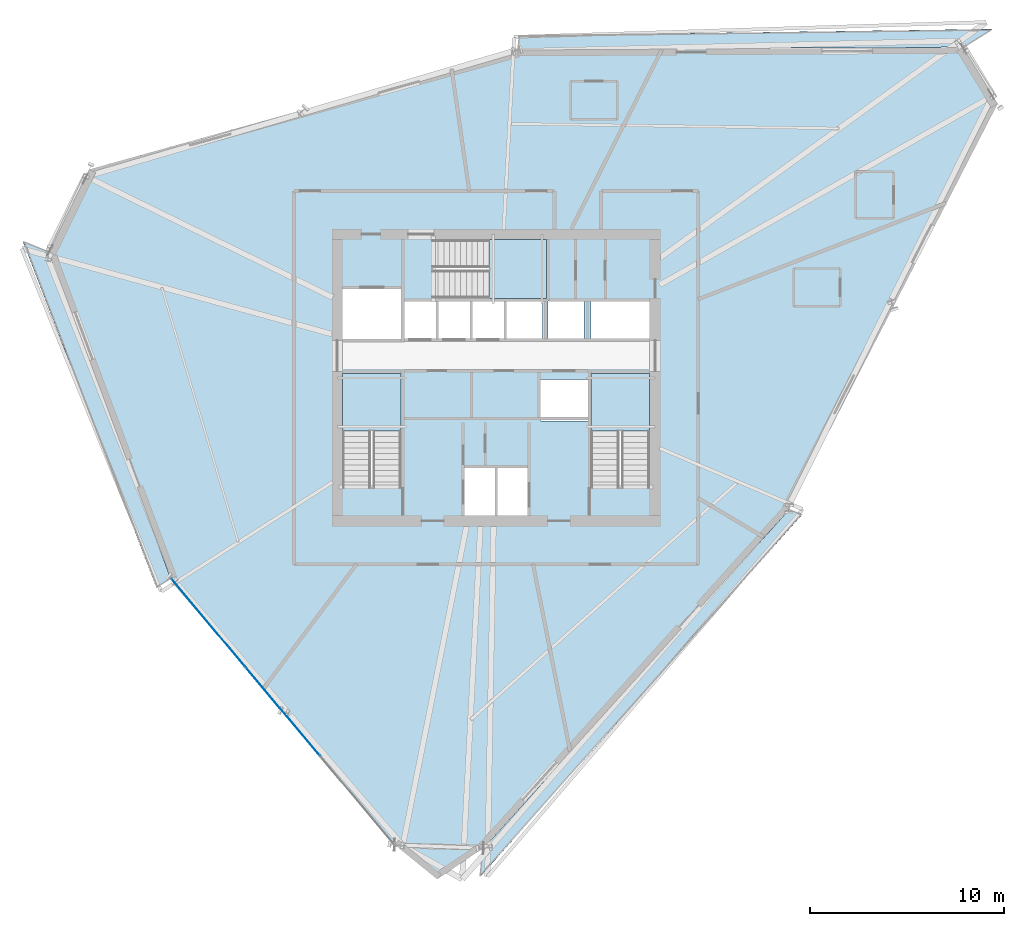
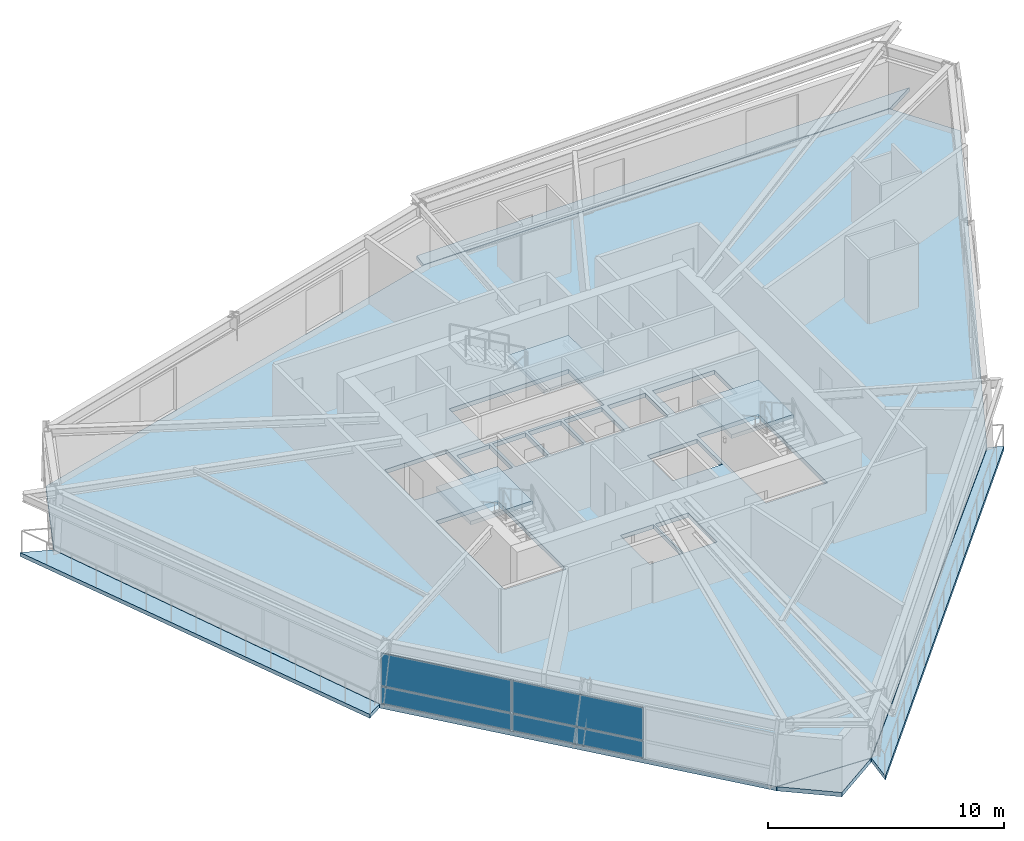
# One storey, part 6 of 15: 8 slabs, 4 plates, 4 elements without a shape of their own.
"""IFC4 building model written with IfcOpenShell, lengths in metres."""

from ifc_helpers import new_model, si_unit, direction, frame, origin, origin_2d, place, context, subcontext, project, spatial, polyline, rectangle, outline, extrude, source, transform, mapped, material, layer, layer_set, type_object, element, aggregate, save


model = new_model("IFC4")

# Units and contexts
model_context = context("Model", 3, precision=1e-05, world=origin(), true_north=direction((0.0, 1.0)))
body_context = subcontext(model_context, "Body", "Model", "MODEL_VIEW")
ifc_project = project(units=[si_unit("LENGTHUNIT", "METRE"), si_unit("AREAUNIT", "SQUARE_METRE"), si_unit("VOLUMEUNIT", "CUBIC_METRE"), si_unit("PLANEANGLEUNIT", "RADIAN"), si_unit("MASSUNIT", "GRAM", prefix="KILO")], contexts=[model_context])

# Site, building, storey
site_placement = place(None, origin())
site = spatial("IfcSite", under=ifc_project, at=site_placement, CompositionType="ELEMENT")
building_placement = place(site_placement, origin())
building = spatial("IfcBuilding", under=site, at=building_placement, Name="Olszyna Solenne Hotel", CompositionType="ELEMENT")
storey_placement = place(building_placement, frame((0.0, 0.0, 164.35009765625)))
storey = spatial("IfcBuildingStorey", under=building, at=storey_placement, Name="L43", CompositionType="ELEMENT", Elevation=164.35009765625)

# Stair, slab
ifc_material_1 = material(Name="Concrete C40/50", Category="concrete")
stair_type = type_object("IfcStairType", Name="STR-C1", PredefinedType="TWO_QUARTER_WINDING_STAIR", material=ifc_material_1)
stair_1_placement = place(storey_placement, origin())
stair_1 = element("IfcStair", 1, at=stair_1_placement, inside=storey, type_object=stair_type, Name="L43 ST1", PredefinedType="TWO_QUARTER_WINDING_STAIR")
ifc_layer_1 = layer(ifc_material_1, 0.18994140625, Name="Concrete C40/50")
ifc_layer_set_1 = layer_set([ifc_layer_1], Name="Concrete C40/50")
slab_type_1 = type_object("IfcSlabType", Name="SL-LN190", PredefinedType="LANDING", material=ifc_layer_set_1)
slab_1_placement = place(storey_placement, frame((0.0, 0.0, 1.574951171875)))
slab_1 = element("IfcSlab", 2, at=slab_1_placement, type_object=slab_type_1, Name="ST1 landing 1", PredefinedType="LANDING", context=body_context, shape_type="SweptSolid", body=[
    extrude(outline(polyline([(33.1201171875, 23.85009765625), (33.1201171875, 26.800048828125), (30.10009765625, 26.800048828125), (30.10009765625, 23.85009765625), (33.1201171875, 23.85009765625)])), origin(), (0.0, 0.0, 1.0), 0.199951171875),
])
aggregate(stair_1, [slab_1])

stair_2_placement = place(storey_placement, origin())
stair_2 = element("IfcStair", 3, at=stair_2_placement, inside=storey, type_object=stair_type, Name="L43 ST2", PredefinedType="TWO_QUARTER_WINDING_STAIR")
slab_2_placement = place(storey_placement, frame((0.0, 0.0, 1.574951171875)))
slab_2 = element("IfcSlab", 4, at=slab_2_placement, type_object=slab_type_1, Name="ST2 landing 1", PredefinedType="LANDING", context=body_context, shape_type="SweptSolid", body=[
    extrude(outline(polyline([(45.89990234375, 23.85009765625), (45.89990234375, 26.800048828125), (42.8798828125, 26.800048828125), (42.8798828125, 23.85009765625), (45.89990234375, 23.85009765625)])), origin(), (0.0, 0.0, 1.0), 0.199951171875),
])
aggregate(stair_2, [slab_2])

stair_3_placement = place(storey_placement, origin())
stair_3 = element("IfcStair", 5, at=stair_3_placement, inside=storey, type_object=stair_type, Name="L43 ST3", PredefinedType="TWO_QUARTER_WINDING_STAIR")
slab_3_placement = place(storey_placement, frame((0.0, 0.0, 1.574951171875)))
slab_3 = element("IfcSlab", 6, at=slab_3_placement, type_object=slab_type_1, Name="ST3 landing 1", PredefinedType="LANDING", context=body_context, shape_type="SweptSolid", body=[
    extrude(outline(polyline([(37.6298828125, 30.679931640625), (40.580078125, 30.679931640625), (40.580078125, 33.699951171875), (37.6298828125, 33.699951171875), (37.6298828125, 30.679931640625)])), origin(), (0.0, 0.0, 1.0), 0.199951171875),
])
aggregate(stair_3, [slab_3])

# Slabs
ifc_material_2 = material(Name="Precast concrete C45/55", Category="concrete")
ifc_layer_2 = layer(ifc_material_2, 0.199951171875, Name="Precast concrete C45/55")
ifc_layer_set_2 = layer_set([ifc_layer_2], Name="Precast concrete C45/55")
slab_type_2 = type_object("IfcSlabType", Name="SL-LOG200", PredefinedType="FLOOR", material=ifc_layer_set_2)
slab_4_placement = place(storey_placement, frame((0.0, 0.0, -0.2001953125)))
element("IfcSlab", 7, at=slab_4_placement, inside=storey, type_object=slab_type_2, Name="Exterior loggia balcony slab SL-L43-LG1", PredefinedType="FLOOR", context=body_context, shape_type="SweptSolid", body=[
    extrude(outline(polyline([(39.120361328125, 43.466796875), (62.010986328125, 43.600830078125), (62.012451171875, 43.6005859375), (62.01416015625, 43.6005859375), (62.015625, 43.60009765625), (62.01708984375, 43.599609375), (62.018310546875, 43.598876953125), (62.019775390625, 43.59814453125), (62.02099609375, 43.59716796875), (62.02197265625, 43.59619140625), (62.02294921875, 43.594970703125), (62.023681640625, 43.59375), (63.522705078125, 44.527587890625), (39.201171875, 44.19384765625), (39.120361328125, 43.466796875)])), origin(), (0.0, 0.0, 1.0), 0.2001953125),
])
slab_5_placement = place(storey_placement, frame((0.0, 0.0, -0.2001953125)))
element("IfcSlab", 8, at=slab_5_placement, inside=storey, type_object=slab_type_2, Name="Exterior loggia balcony slab SL-L43-LG2", PredefinedType="FLOOR", context=body_context, shape_type="SweptSolid", body=[
    extrude(outline(polyline([(21.261962890625, 16.277099609375), (21.26123046875, 16.2783203125), (21.260498046875, 16.27978515625), (14.990478515625, 33.054931640625), (14.989990234375, 33.056396484375), (14.98974609375, 33.057861328125), (14.989501953125, 33.059326171875), (14.989501953125, 33.060791015625), (14.98974609375, 33.0625), (14.989990234375, 33.06396484375), (14.990478515625, 33.0654296875), (14.990478515625, 33.06591796875), (13.65771484375, 33.6025390625), (20.518798828125, 15.814208984375), (21.261962890625, 16.277099609375)])), origin(), (0.0, 0.0, 1.0), 0.2001953125),
])
slab_6_placement = place(storey_placement, frame((0.0, 0.0, -0.2001953125)))
element("IfcSlab", 9, at=slab_6_placement, inside=storey, type_object=slab_type_2, Name="Exterior loggia balcony slab SL-L43-LG3", PredefinedType="FLOOR", context=body_context, shape_type="SweptSolid", body=[
    extrude(outline(polyline([(53.07568359375, 19.808837890625), (53.074951171875, 19.8076171875), (53.07421875, 19.806396484375), (53.073486328125, 19.805419921875), (53.07275390625, 19.80419921875), (37.3427734375, 2.38330078125), (37.341552734375, 2.382080078125), (37.340087890625, 2.380859375), (37.32958984375, 2.373779296875), (37.166748046875, 0.9091796875), (53.735107421875, 19.543212890625), (53.07568359375, 19.808837890625)])), origin(), (0.0, 0.0, 1.0), 0.2001953125),
])
ifc_material_3 = material(Name="Concrete C50/60", Category="concrete")
ifc_layer_3 = layer(ifc_material_3, 0.219970703125, Name="Concrete C50/60")
ifc_layer_set_3 = layer_set([ifc_layer_3], Name="Concrete C50/60")
slab_type_3 = type_object("IfcSlabType", Name="SL-TW225", PredefinedType="FLOOR", material=ifc_layer_set_3)
slab_7_placement = place(storey_placement, frame((0.0, 0.0, -0.22021484375)))
element("IfcSlab", 10, at=slab_7_placement, inside=storey, type_object=slab_type_3, Name="Floor slab SL-TW225 SL-L43-01", PredefinedType="FLOOR", context=body_context, shape_type="SweptSolid", body=[
    extrude(outline(polyline([(63.79833984375, 40.6865234375), (62.010986328125, 43.585693359375), (39.11865234375, 43.451904296875), (17.066162109375, 37.306396484375), (15.00439453125, 33.060302734375), (21.274658203125, 16.284912109375), (32.7880859375, 2.56787109375), (37.331787109375, 2.393310546875), (53.0615234375, 19.814453125), (63.79833984375, 40.6865234375)]), holes=[polyline([(30.10009765625, 20.949951171875), (33.1201171875, 20.949951171875), (33.1201171875, 26.800048828125), (30.10009765625, 26.800048828125), (30.10009765625, 20.949951171875)]), polyline([(42.8798828125, 20.949951171875), (45.89990234375, 20.949951171875), (45.89990234375, 26.800048828125), (42.8798828125, 26.800048828125), (42.8798828125, 20.949951171875)]), polyline([(34.72998046875, 30.679931640625), (40.580078125, 30.679931640625), (40.580078125, 33.699951171875), (34.72998046875, 33.699951171875), (34.72998046875, 30.679931640625)]), polyline([(36.340087890625, 19.5), (37.9599609375, 19.5), (37.9599609375, 21.9599609375), (36.340087890625, 21.9599609375), (36.340087890625, 19.5)]), polyline([(38.0400390625, 19.5), (39.659912109375, 19.5), (39.659912109375, 21.9599609375), (38.0400390625, 21.9599609375), (38.0400390625, 19.5)]), polyline([(30.10009765625, 28.60009765625), (33.1201171875, 28.60009765625), (33.1201171875, 31.159912109375), (30.10009765625, 31.159912109375), (30.10009765625, 28.60009765625)]), polyline([(40.280029296875, 24.360107421875), (42.719970703125, 24.360107421875), (42.719970703125, 26.5), (40.280029296875, 26.5), (40.280029296875, 24.360107421875)]), polyline([(33.280029296875, 28.60009765625), (34.89990234375, 28.60009765625), (34.89990234375, 30.550048828125), (33.280029296875, 30.550048828125), (33.280029296875, 28.60009765625)]), polyline([(35.030029296875, 28.60009765625), (36.64990234375, 28.60009765625), (36.64990234375, 30.550048828125), (35.030029296875, 30.550048828125), (35.030029296875, 28.60009765625)]), polyline([(36.780029296875, 28.60009765625), (38.39990234375, 28.60009765625), (38.39990234375, 30.550048828125), (36.780029296875, 30.550048828125), (36.780029296875, 28.60009765625)]), polyline([(38.530029296875, 28.60009765625), (40.389892578125, 28.60009765625), (40.389892578125, 30.550048828125), (38.530029296875, 30.550048828125), (38.530029296875, 28.60009765625)]), polyline([(40.659912109375, 28.60009765625), (42.52001953125, 28.60009765625), (42.52001953125, 30.550048828125), (40.659912109375, 30.550048828125), (40.659912109375, 28.60009765625)]), polyline([(42.8798828125, 28.60009765625), (45.89990234375, 28.60009765625), (45.89990234375, 30.550048828125), (42.8798828125, 30.550048828125), (42.8798828125, 28.60009765625)])]), origin(), (0.0, 0.0, 1.0), 0.22021484375),
])
slab_8_placement = place(storey_placement, frame((0.0, 0.0, -0.22021484375)))
element("IfcSlab", 11, at=slab_8_placement, inside=storey, type_object=slab_type_3, Name="Faceted glass-prism floor slab SL-L43-PR", PredefinedType="FLOOR", context=body_context, shape_type="SweptSolid", body=[
    extrude(outline(polyline([(37.317626953125, 2.3837890625), (32.80126953125, 2.557373046875), (34.9697265625, 0.800048828125), (37.317626953125, 2.3837890625)])), origin(), (0.0, 0.0, 1.0), 0.22021484375),
])

# Curtain wall, plates
ifc_material_4 = material(Name="Anodised bronze aluminium", Category="aluminium")
curtain_wall_type = type_object("IfcCurtainWallType", Name="CW-SYS-4", PredefinedType="NOTDEFINED", material=ifc_material_4)
curtain_wall_placement = place(storey_placement, origin())
curtain_wall = element("IfcCurtainWall", 12, at=curtain_wall_placement, inside=storey, type_object=curtain_wall_type, Name="Unitised curtain wall CW-SYS-4 CW-L43-01", PredefinedType="NOTDEFINED")
ifc_material_5 = material(Name="Terracotta cladding", Category="masonry")
plate_type_1 = type_object("IfcPlateType", Name="PN-SP1", PredefinedType="CURTAIN_PANEL", material=ifc_material_5)
shared_shape_1 = source(origin(), body_context, "Body", "SweptSolid", [
    extrude(rectangle(XDim=5.8720703125, YDim=0.035888671875, at=origin_2d()), origin(), (0.0, 0.0, 1.0), 0.8525390625),
])
plate_1_placement = place(storey_placement, frame((23.2041015625, 13.986328125, 0.06494140625), z_axis=(0.0, 0.0, 1.0), x_axis=(0.642899095597, -0.765950881507, 0.0)))
plate_1 = element("IfcPlate", 13, at=plate_1_placement, type_object=plate_type_1, Name="Curtain-wall panel PN-SP1 CP-L43-01-01", PredefinedType="CURTAIN_PANEL", context=body_context, shape_type="MappedRepresentation", body=[
    mapped(shared_shape_1, transform((0.0, 0.0, 0.0), x_axis=(1.0, 0.0, 0.0), y_axis=(0.0, 1.0, 0.0), z_axis=(0.0, 0.0, 1.0), scale=1.0)),
])
ifc_material_6 = material(Name="Low-E triple glazing", Category="glass")
plate_type_2 = type_object("IfcPlateType", Name="PN-GL1", PredefinedType="CURTAIN_PANEL", material=ifc_material_6)
shared_shape_2 = source(origin(), body_context, "Body", "SweptSolid", [
    extrude(rectangle(XDim=5.8720703125, YDim=0.035888671875, at=origin_2d()), origin(), (0.0, 0.0, 1.0), 1.674560546875),
])
plate_2_placement = place(storey_placement, frame((23.2041015625, 13.986328125, 0.982421875), z_axis=(0.0, 0.0, 1.0), x_axis=(0.642899095597, -0.765950881507, 0.0)))
plate_2 = element("IfcPlate", 14, at=plate_2_placement, type_object=plate_type_2, Name="Curtain-wall panel PN-GL1 CP-L43-01-02", PredefinedType="CURTAIN_PANEL", context=body_context, shape_type="MappedRepresentation", body=[
    mapped(shared_shape_2, transform((0.0, 0.0, 0.0), x_axis=(1.0, 0.0, 0.0), y_axis=(0.0, 1.0, 0.0), z_axis=(0.0, 0.0, 1.0), scale=1.0)),
])
shared_shape_3 = source(origin(), body_context, "Body", "SweptSolid", [
    extrude(rectangle(XDim=5.904541015625, YDim=0.035888671875, at=origin_2d()), origin(), (0.0, 0.0, 1.0), 0.8525390625),
])
plate_3_placement = place(storey_placement, frame((27.031494140625, 9.426513671875, 0.06494140625), z_axis=(0.0, 0.0, 1.0), x_axis=(0.642899095597, -0.765950881507, 0.0)))
plate_3 = element("IfcPlate", 15, at=plate_3_placement, type_object=plate_type_1, Name="Curtain-wall panel PN-SP1 CP-L43-01-03", PredefinedType="CURTAIN_PANEL", context=body_context, shape_type="MappedRepresentation", body=[
    mapped(shared_shape_3, transform((0.0, 0.0, 0.0), x_axis=(1.0, 0.0, 0.0), y_axis=(0.0, 1.0, 0.0), z_axis=(0.0, 0.0, 1.0), scale=1.0)),
])
shared_shape_4 = source(origin(), body_context, "Body", "SweptSolid", [
    extrude(rectangle(XDim=5.904541015625, YDim=0.035888671875, at=origin_2d()), origin(), (0.0, 0.0, 1.0), 1.674560546875),
])
plate_4_placement = place(storey_placement, frame((27.031494140625, 9.426513671875, 0.982421875), z_axis=(0.0, 0.0, 1.0), x_axis=(0.642899095597, -0.765950881507, 0.0)))
plate_4 = element("IfcPlate", 16, at=plate_4_placement, type_object=plate_type_2, Name="Curtain-wall panel PN-GL1 CP-L43-01-04", PredefinedType="CURTAIN_PANEL", context=body_context, shape_type="MappedRepresentation", body=[
    mapped(shared_shape_4, transform((0.0, 0.0, 0.0), x_axis=(1.0, 0.0, 0.0), y_axis=(0.0, 1.0, 0.0), z_axis=(0.0, 0.0, 1.0), scale=1.0)),
])
aggregate(curtain_wall, [plate_1, plate_2, plate_3, plate_4])

save(model, "model.ifc")
